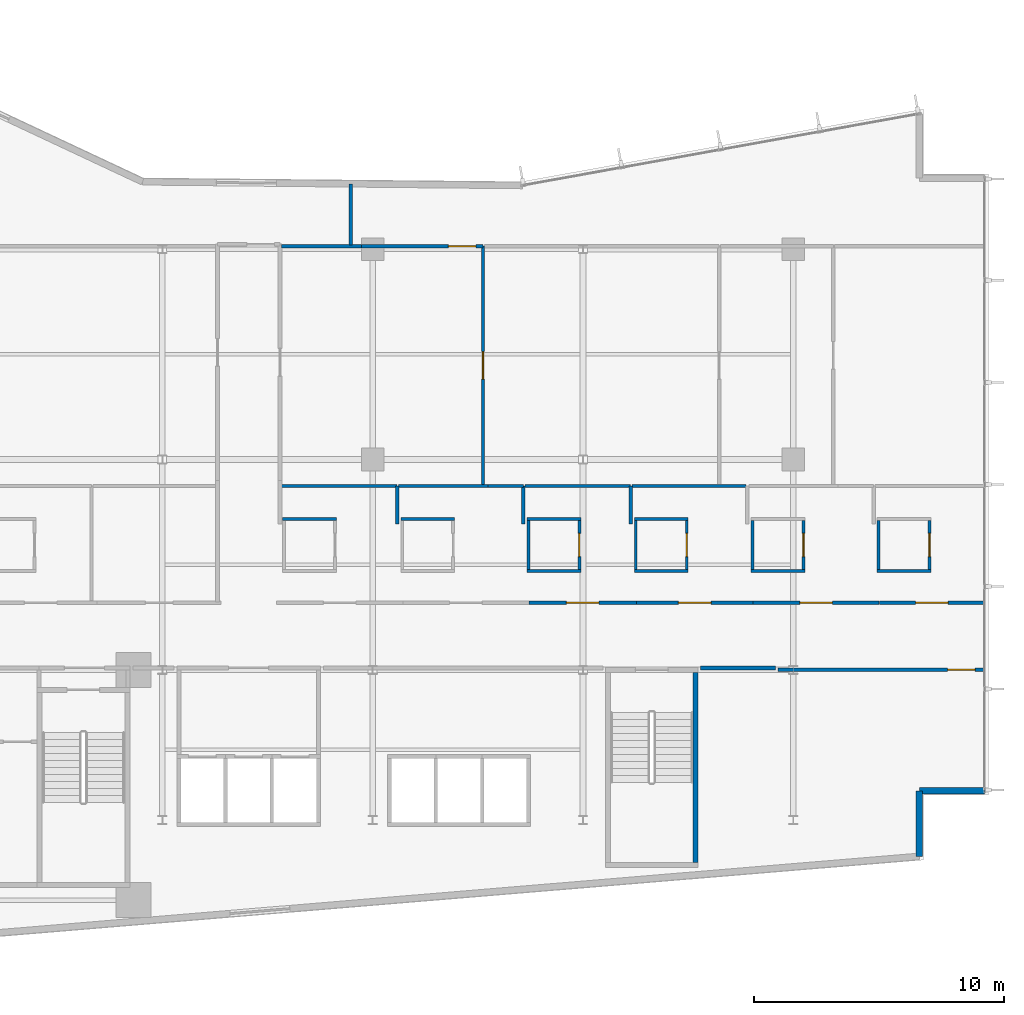
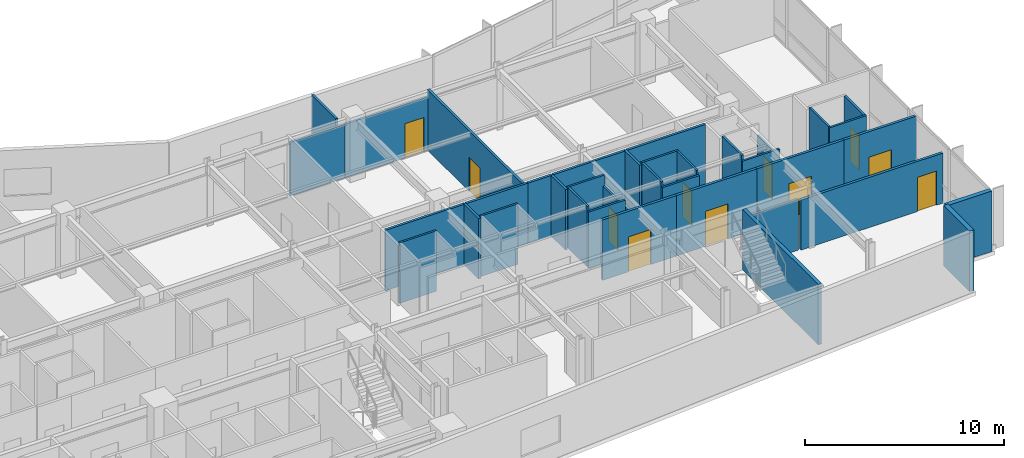
# One storey, part 15 of 20: 37 walls, 11 doors, 11 openings.
"""IFC4 building model written with IfcOpenShell, lengths in metres."""

import ifcopenshell
import ifcopenshell.guid

model = None  # the IFC model being written
_history = None  # IfcOwnerHistory: only IFC2X3 demands one
_inside = {}  # id of a spatial element -> (the spatial element, [elements in it])
_under = {}  # id of a project, library or spatial element -> (it, [spatial elements below it])
_declared = {}  # id of a project -> (the project, [libraries it declares])
_typed = {}  # id of a type object -> (the type object, [elements of that type])
_made_of = {}  # id of a material, layer set ... -> (it, [elements and type objects made of it])


def new_model(schema):
    """Start an empty IFC model of exactly this schema.

    Asked for "IFC4X3", IfcOpenShell would pick the latest addendum, in which some entities
    have other attributes; the version numbers below select the first issue.
    IFC2X3 requires an IfcOwnerHistory on every rooted entity: one is made here for all.
    """
    global model, _history
    if schema == "IFC4X3":
        model = ifcopenshell.file(schema_version=(4, 3, 0, 0))
    else:
        model = ifcopenshell.file(schema=schema)
    _inside.clear()
    _under.clear()
    _declared.clear()
    _typed.clear()
    _made_of.clear()
    _history = None
    if model.schema == "IFC2X3":
        org = make("IfcOrganization", Name="unknown")
        user = make(
            "IfcPersonAndOrganization",
            ThePerson=make("IfcPerson", FamilyName="unknown"),
            TheOrganization=org,
        )
        app = make(
            "IfcApplication",
            ApplicationDeveloper=org,
            Version="unknown",
            ApplicationFullName="unknown",
            ApplicationIdentifier="unknown",
        )
        _history = make(
            "IfcOwnerHistory",
            OwningUser=user,
            OwningApplication=app,
            ChangeAction="ADDED",
            CreationDate=0,
        )
    return model


def make(cls, **values):
    """One entity of the class cls with the attributes given. An attribute that is None is left unset."""
    return model.create_entity(
        cls, **{name: value for name, value in values.items() if value is not None}
    )


def rooted(cls, **values):
    """An entity with a GlobalId (a new one), such as an element, a storey or a relation."""
    return make(cls, GlobalId=ifcopenshell.guid.new(), OwnerHistory=_history, **values)


def si_unit(unit_type, name, prefix=None):
    """IfcSIUnit, for example si_unit("LENGTHUNIT", "METRE", prefix="MILLI")."""
    return make("IfcSIUnit", UnitType=unit_type, Prefix=prefix, Name=name)


def assignment(units):
    """IfcUnitAssignment: the units of a project."""
    return None if units is None else make("IfcUnitAssignment", Units=units)


def point(xyz):
    """IfcCartesianPoint."""
    return None if xyz is None else make("IfcCartesianPoint", Coordinates=xyz)


def direction(xyz):
    """IfcDirection."""
    return None if xyz is None else make("IfcDirection", DirectionRatios=xyz)


def frame(location, z_axis=None, x_axis=None):
    """IfcAxis2Placement3D, a coordinate frame: its origin and axes. An axis left out is left unset."""
    return make(
        "IfcAxis2Placement3D",
        Location=point(location),
        Axis=direction(z_axis),
        RefDirection=direction(x_axis),
    )


def frame_2d(location, x_axis=None):
    """IfcAxis2Placement2D, a coordinate frame in the plane: its origin and x axis."""
    return make(
        "IfcAxis2Placement2D", Location=point(location), RefDirection=direction(x_axis)
    )


def origin():
    """The frame at (0, 0, 0) with its axes left unset."""
    return frame((0.0, 0.0, 0.0))


def place(relative_to, where):
    """IfcLocalPlacement: puts the frame where relative to a parent placement (None: the world)."""
    return make(
        "IfcLocalPlacement", PlacementRelTo=relative_to, RelativePlacement=where
    )


def context(
    kind, dimensions, precision=None, world=None, true_north=None, identifier=None
):
    """IfcGeometricRepresentationContext, for example the 3D "Model" context."""
    return make(
        "IfcGeometricRepresentationContext",
        ContextIdentifier=identifier,
        ContextType=kind,
        CoordinateSpaceDimension=dimensions,
        Precision=precision,
        WorldCoordinateSystem=world,
        TrueNorth=true_north,
    )


def subcontext(parent, identifier, kind, view, scale=None):
    """IfcGeometricRepresentationSubContext, for example "Body" below "Model"."""
    return make(
        "IfcGeometricRepresentationSubContext",
        ContextIdentifier=identifier,
        ContextType=kind,
        ParentContext=parent,
        TargetScale=scale,
        TargetView=view,
    )


def project(units=None, contexts=None):
    """IfcProject with its units and contexts."""
    return rooted(
        "IfcProject",
        Name="project",
        RepresentationContexts=contexts,
        UnitsInContext=assignment(units),
    )


def spatial(cls, under=None, at=None, **own):
    """A site, building, storey or space (cls), placed at a placement, below another one or the project."""
    s = rooted(cls, ObjectPlacement=at, **own)
    if under is not None:
        _under.setdefault(under.id(), (under, []))[1].append(s)
    return s


def profile(cls, at=None, kind="AREA", **sizes):
    """A parametric profile (cls). Its sizes go by their IFC names, for example OverallWidth=200.0."""
    return make(cls, ProfileType=kind, Position=at, **sizes)


def rectangle(**sizes):
    """IfcRectangleProfileDef."""
    return profile("IfcRectangleProfileDef", **sizes)


def extrude(swept, where, along, depth):
    """IfcExtrudedAreaSolid: the profile swept, set in the frame where, extruded along a direction by depth."""
    return make(
        "IfcExtrudedAreaSolid",
        SweptArea=swept,
        Position=where,
        ExtrudedDirection=direction(along),
        Depth=depth,
    )


def shape(context_of_items, identifier, shape_type, items):
    """IfcShapeRepresentation: the items that make up one representation, for example the "Body"."""
    return make(
        "IfcShapeRepresentation",
        ContextOfItems=context_of_items,
        RepresentationIdentifier=identifier,
        RepresentationType=shape_type,
        Items=items,
    )


def material(Name=None, Category=None):
    """IfcMaterial."""
    return make("IfcMaterial", Name=Name, Category=Category)


def layer(
    of_material, thickness, ventilated=None, Name=None, Category=None, Priority=None
):
    """IfcMaterialLayer: one layer of a wall or slab, of a material (None: an air gap)."""
    return make(
        "IfcMaterialLayer",
        Material=of_material,
        LayerThickness=thickness,
        IsVentilated=ventilated,
        Name=Name,
        Category=Category,
        Priority=Priority,
    )


def layer_set(layers, Name=None):
    """IfcMaterialLayerSet."""
    return make("IfcMaterialLayerSet", MaterialLayers=layers, LayerSetName=Name)


def made_of(thing, what):
    """Note that an element or type object is made of a material, layer set ...; save() writes the relation."""
    if what is not None:
        _made_of.setdefault(what.id(), (what, []))[1].append(thing)
    return thing


def type_object(cls, material=None, **own):
    """A type object (cls), such as IfcWallType, which elements share."""
    return made_of(rooted(cls, **own), material)


def element(
    cls,
    number,
    at=None,
    inside=None,
    cuts=None,
    type_object=None,
    material=None,
    context=None,
    identifier="Body",
    shape_type=None,
    held_by="IfcProductDefinitionShape",
    body=None,
    shapes=None,
    **own,
):
    """One element of the class cls, such as IfcWall. Its Tag is "e" and its number.

    at: its placement. inside: the storey or other place that contains it. cuts: it is an
    opening in that element (IfcRelVoidsElement). A single representation is given by context,
    identifier, shape_type and body (its items); several are given by shapes. held_by: the class
    of the entity that holds the representations. save() writes the other relations.
    """
    e = rooted(cls, Tag="e%d" % number, ObjectPlacement=at, **own)
    if body is not None:
        shapes = [shape(context, identifier, shape_type, body)]
    if shapes is not None:
        e.Representation = make(held_by, Representations=shapes)
    if inside is not None:
        _inside.setdefault(inside.id(), (inside, []))[1].append(e)
    if cuts is not None:
        rooted(
            "IfcRelVoidsElement", RelatingBuildingElement=cuts, RelatedOpeningElement=e
        )
    if type_object is not None:
        _typed.setdefault(type_object.id(), (type_object, []))[1].append(e)
    return made_of(e, material)


def fill(opening, filler):
    """IfcRelFillsElement: the door or window that sits in an opening."""
    return rooted(
        "IfcRelFillsElement",
        RelatingOpeningElement=opening,
        RelatedBuildingElement=filler,
    )


def aggregate(whole, parts):
    """IfcRelAggregates: a whole, such as a stair, and the parts it consists of."""
    return rooted("IfcRelAggregates", RelatingObject=whole, RelatedObjects=parts)


def save(model, path):
    """Write the relations noted so far, then the file.

    IfcRelAggregates (storeys below a building ...), IfcRelContainedInSpatialStructure (elements
    in a storey), IfcRelDefinesByType, IfcRelAssociatesMaterial and IfcRelDeclares: one each for
    every whole, place, type object, material and project.
    """
    for whole, parts in _under.values():
        aggregate(whole, parts)
    for where, things in _inside.values():
        rooted(
            "IfcRelContainedInSpatialStructure",
            RelatedElements=things,
            RelatingStructure=where,
        )
    for kind, things in _typed.values():
        rooted("IfcRelDefinesByType", RelatedObjects=things, RelatingType=kind)
    for what, things in _made_of.values():
        rooted("IfcRelAssociatesMaterial", RelatedObjects=things, RelatingMaterial=what)
    for by, libraries in _declared.values():
        rooted("IfcRelDeclares", RelatingContext=by, RelatedDefinitions=libraries)
    model.write(path)


model = new_model("IFC4")

# Units and contexts
model_context = context("Model", 3, precision=1e-05, world=origin(), true_north=direction((0.0, 1.0)))
body_context = subcontext(model_context, "Body", "Model", "MODEL_VIEW")
ifc_project = project(units=[si_unit("LENGTHUNIT", "METRE"), si_unit("AREAUNIT", "SQUARE_METRE"), si_unit("VOLUMEUNIT", "CUBIC_METRE"), si_unit("PLANEANGLEUNIT", "RADIAN"), si_unit("MASSUNIT", "GRAM", prefix="KILO")], contexts=[model_context])

# Site, building, storey
site_placement = place(None, origin())
site = spatial("IfcSite", under=ifc_project, at=site_placement, CompositionType="ELEMENT")
building_placement = place(site_placement, origin())
building = spatial("IfcBuilding", under=site, at=building_placement, Name="Varnakote Quay Hospital", CompositionType="ELEMENT")
storey_placement = place(building_placement, frame((0.0, 0.0, 58.050048828125)))
storey = spatial("IfcBuildingStorey", under=building, at=storey_placement, Name="L14", CompositionType="ELEMENT", Elevation=58.050048828125)

# Walls
ifc_material_1 = material(Name="Fire-rated acoustic gypsum stud wall", Category="gypsum")
ifc_layer_1 = layer(ifc_material_1, 0.159912109375)
ifc_layer_set_1 = layer_set([ifc_layer_1], Name="Fire-rated acoustic gypsum stud wall")
wall_type_1 = type_object("IfcWallType", Name="WL-COMP-160", PredefinedType="PARTITIONING", material=ifc_layer_set_1)
wall_1_placement = place(storey_placement, frame((46.689208984375, 12.080078125, 0.0), z_axis=(0.0, 0.0, 1.0), x_axis=(1.0, 0.0, 0.0)))
element("IfcWall", 1, at=wall_1_placement, inside=storey, type_object=wall_type_1, Name="L14 Corridor South Gap Wall", PredefinedType="PARTITIONING", context=body_context, shape_type="SweptSolid", body=[
    extrude(rectangle(XDim=3.0107421875, YDim=0.159912109375, at=frame_2d((1.50537109375, 0.0))), origin(), (0.0, 0.0, 1.0), 3.072998046875),
])
ifc_material_2 = material(Name="Moisture-resistant bathroom partition", Category="gypsum")
ifc_layer_2 = layer(ifc_material_2, 0.114990234375)
ifc_layer_set_2 = layer_set([ifc_layer_2], Name="Moisture-resistant bathroom partition")
wall_type_2 = type_object("IfcWallType", Name="WL-ENS-115", PredefinedType="PARTITIONING", material=ifc_layer_set_2)
wall_2_placement = place(storey_placement, frame((30.0048828125, 18.017578125, 0.0), z_axis=(0.0, 0.0, 1.0), x_axis=(1.0, 0.0, 0.0)))
element("IfcWall", 2, at=wall_2_placement, inside=storey, type_object=wall_type_2, Name="L14 Inpatient En-Suite Bathroom 04 N Wall", PredefinedType="PARTITIONING", context=body_context, shape_type="SweptSolid", body=[
    extrude(rectangle(XDim=2.150146484375, YDim=0.114990234375, at=frame_2d((1.0751953125, 0.0))), origin(), (0.0, 0.0, 1.0), 3.7099609375),
])
wall_3_placement = place(storey_placement, frame((34.72509765625, 18.017578125, 0.0), z_axis=(0.0, 0.0, 1.0), x_axis=(1.0, 0.0, 0.0)))
element("IfcWall", 3, at=wall_3_placement, inside=storey, type_object=wall_type_2, Name="L14 Inpatient En-Suite Bathroom 05 N Wall", PredefinedType="PARTITIONING", context=body_context, shape_type="SweptSolid", body=[
    extrude(rectangle(XDim=2.14990234375, YDim=0.114990234375, at=frame_2d((1.074951171875, 0.0))), origin(), (0.0, 0.0, 1.0), 3.7099609375),
])
wall_4_placement = place(storey_placement, frame((39.764892578125, 15.952392578125, 0.0), z_axis=(0.0, 0.0, 1.0), x_axis=(1.0, 0.0, 0.0)))
element("IfcWall", 4, at=wall_4_placement, inside=storey, type_object=wall_type_2, Name="L14 Inpatient En-Suite Bathroom 06 S Wall", PredefinedType="PARTITIONING", context=body_context, shape_type="SweptSolid", body=[
    extrude(rectangle(XDim=2.150146484375, YDim=0.114990234375, at=frame_2d((1.0751953125, 0.0))), origin(), (0.0, 0.0, 1.0), 3.428955078125),
])
wall_5_placement = place(storey_placement, frame((39.764892578125, 18.017578125, 0.0), z_axis=(0.0, 0.0, 1.0), x_axis=(1.0, 0.0, 0.0)))
element("IfcWall", 5, at=wall_5_placement, inside=storey, type_object=wall_type_2, Name="L14 Inpatient En-Suite Bathroom 06 N Wall", PredefinedType="PARTITIONING", context=body_context, shape_type="SweptSolid", body=[
    extrude(rectangle(XDim=2.150146484375, YDim=0.114990234375, at=frame_2d((1.0751953125, 0.0))), origin(), (0.0, 0.0, 1.0), 3.7099609375),
])
wall_6_placement = place(storey_placement, frame((39.822509765625, 16.010009765625, 0.0), z_axis=(0.0, 0.0, 1.0), x_axis=(0.0, 1.0, 0.0)))
element("IfcWall", 6, at=wall_6_placement, inside=storey, type_object=wall_type_2, Name="L14 Inpatient En-Suite Bathroom 06 W Wall", PredefinedType="PARTITIONING", context=body_context, shape_type="SweptSolid", body=[
    extrude(rectangle(XDim=1.949951171875, YDim=0.114990234375, at=frame_2d((0.97509765625, 0.0))), origin(), (0.0, 0.0, 1.0), 3.7099609375),
])

# Wall, opening, door
wall_7_placement = place(storey_placement, frame((41.857421875, 16.010009765625, 0.0), z_axis=(0.0, 0.0, 1.0), x_axis=(0.0, 1.0, 0.0)))
wall_7 = element("IfcWall", 7, at=wall_7_placement, inside=storey, type_object=wall_type_2, Name="L14 Inpatient En-Suite Bathroom 06 E Wall", PredefinedType="PARTITIONING", context=body_context, shape_type="SweptSolid", body=[
    extrude(rectangle(XDim=1.949951171875, YDim=0.114990234375, at=frame_2d((0.97509765625, 0.0))), origin(), (0.0, 0.0, 1.0), 3.072998046875),
])
opening_1_placement = place(wall_7_placement, frame((0.514892578125, 0.0, 0.0)))
opening_1 = element("IfcOpeningElement", 8, at=opening_1_placement, cuts=wall_7, Name="Opening D-L14-ENS06", PredefinedType="OPENING", context=body_context, shape_type="SweptSolid", body=[
    extrude(rectangle(XDim=0.919921875, YDim=2.10009765625, at=frame_2d((0.4599609375, 1.050048828125))), frame((0.0, 0.0673828125, 0.0), z_axis=(0.0, -1.0, 0.0), x_axis=(1.0, 0.0, 0.0)), (0.0, 0.0, 1.0), 0.135009765625),
])
ifc_material_3 = material(Name="Moisture-sealed en-suite bathroom door")
door_type_1 = type_object("IfcDoorType", Name="DR-ENS-920x2100", OperationType="NOTDEFINED", PredefinedType="DOOR", material=ifc_material_3)
door_1_placement = place(opening_1_placement, origin())
door_1 = element("IfcDoor", 9, at=door_1_placement, inside=storey, type_object=door_type_1, Name="L14 Inpatient En-Suite Bathroom 06 Door", OperationType="SINGLE_SWING_RIGHT", OverallHeight=2.10009765625, OverallWidth=0.919921875, PredefinedType="DOOR", context=body_context, shape_type="SweptSolid", body=[
    extrude(rectangle(XDim=0.919921875, YDim=2.10009765625, at=frame_2d((0.4599609375, 1.050048828125))), frame((0.0, 0.02490234375, 0.0), z_axis=(0.0, -1.0, 0.0), x_axis=(1.0, 0.0, 0.0)), (0.0, 0.0, 1.0), 0.050048828125),
])
fill(opening_1, door_1)

# Walls
wall_8_placement = place(storey_placement, frame((44.054931640625, 15.952392578125, 0.0), z_axis=(0.0, 0.0, 1.0), x_axis=(1.0, 0.0, 0.0)))
element("IfcWall", 10, at=wall_8_placement, inside=storey, type_object=wall_type_2, Name="L14 Inpatient En-Suite Bathroom 07 S Wall", PredefinedType="PARTITIONING", context=body_context, shape_type="SweptSolid", body=[
    extrude(rectangle(XDim=2.150146484375, YDim=0.114990234375, at=frame_2d((1.0751953125, 0.0))), origin(), (0.0, 0.0, 1.0), 3.428955078125),
])
wall_9_placement = place(storey_placement, frame((44.054931640625, 18.017578125, 0.0), z_axis=(0.0, 0.0, 1.0), x_axis=(1.0, 0.0, 0.0)))
element("IfcWall", 11, at=wall_9_placement, inside=storey, type_object=wall_type_2, Name="L14 Inpatient En-Suite Bathroom 07 N Wall", PredefinedType="PARTITIONING", context=body_context, shape_type="SweptSolid", body=[
    extrude(rectangle(XDim=2.150146484375, YDim=0.114990234375, at=frame_2d((1.0751953125, 0.0))), origin(), (0.0, 0.0, 1.0), 3.7099609375),
])
wall_10_placement = place(storey_placement, frame((44.112548828125, 16.010009765625, 0.0), z_axis=(0.0, 0.0, 1.0), x_axis=(0.0, 1.0, 0.0)))
element("IfcWall", 12, at=wall_10_placement, inside=storey, type_object=wall_type_2, Name="L14 Inpatient En-Suite Bathroom 07 W Wall", PredefinedType="PARTITIONING", context=body_context, shape_type="SweptSolid", body=[
    extrude(rectangle(XDim=1.949951171875, YDim=0.114990234375, at=frame_2d((0.97509765625, 0.0))), origin(), (0.0, 0.0, 1.0), 3.7099609375),
])

# Wall, opening, door
wall_11_placement = place(storey_placement, frame((46.1474609375, 16.010009765625, 0.0), z_axis=(0.0, 0.0, 1.0), x_axis=(0.0, 1.0, 0.0)))
wall_11 = element("IfcWall", 13, at=wall_11_placement, inside=storey, type_object=wall_type_2, Name="L14 Inpatient En-Suite Bathroom 07 E Wall", PredefinedType="PARTITIONING", context=body_context, shape_type="SweptSolid", body=[
    extrude(rectangle(XDim=1.949951171875, YDim=0.114990234375, at=frame_2d((0.97509765625, 0.0))), origin(), (0.0, 0.0, 1.0), 3.7099609375),
])
opening_2_placement = place(wall_11_placement, frame((0.514892578125, 0.0, 0.0)))
opening_2 = element("IfcOpeningElement", 14, at=opening_2_placement, cuts=wall_11, Name="Opening D-L14-ENS07", PredefinedType="OPENING", context=body_context, shape_type="SweptSolid", body=[
    extrude(rectangle(XDim=0.919921875, YDim=2.10009765625, at=frame_2d((0.4599609375, 1.050048828125))), frame((0.0, 0.0673828125, 0.0), z_axis=(0.0, -1.0, 0.0), x_axis=(1.0, 0.0, 0.0)), (0.0, 0.0, 1.0), 0.135009765625),
])
door_2_placement = place(opening_2_placement, origin())
door_2 = element("IfcDoor", 15, at=door_2_placement, inside=storey, type_object=door_type_1, Name="L14 Inpatient En-Suite Bathroom 07 Door", OperationType="SINGLE_SWING_LEFT", OverallHeight=2.10009765625, OverallWidth=0.919921875, PredefinedType="DOOR", context=body_context, shape_type="SweptSolid", body=[
    extrude(rectangle(XDim=0.919921875, YDim=2.10009765625, at=frame_2d((0.4599609375, 1.050048828125))), frame((0.0, 0.02490234375, 0.0), z_axis=(0.0, -1.0, 0.0), x_axis=(1.0, 0.0, 0.0)), (0.0, 0.0, 1.0), 0.050048828125),
])
fill(opening_2, door_2)

# Walls
wall_12_placement = place(storey_placement, frame((48.715087890625, 15.952392578125, 0.0), z_axis=(0.0, 0.0, 1.0), x_axis=(1.0, 0.0, 0.0)))
element("IfcWall", 16, at=wall_12_placement, inside=storey, type_object=wall_type_2, Name="L14 Inpatient En-Suite Bathroom 08 S Wall", PredefinedType="PARTITIONING", context=body_context, shape_type="SweptSolid", body=[
    extrude(rectangle(XDim=2.14990234375, YDim=0.114990234375, at=frame_2d((1.074951171875, 0.0))), origin(), (0.0, 0.0, 1.0), 3.428955078125),
])
wall_13_placement = place(storey_placement, frame((48.7724609375, 16.010009765625, 0.0), z_axis=(0.0, 0.0, 1.0), x_axis=(0.0, 1.0, 0.0)))
element("IfcWall", 17, at=wall_13_placement, inside=storey, type_object=wall_type_2, Name="L14 Inpatient En-Suite Bathroom 08 W Wall", PredefinedType="PARTITIONING", context=body_context, shape_type="SweptSolid", body=[
    extrude(rectangle(XDim=1.949951171875, YDim=0.114990234375, at=frame_2d((0.97509765625, 0.0))), origin(), (0.0, 0.0, 1.0), 3.7099609375),
])

# Wall, opening, door
wall_14_placement = place(storey_placement, frame((50.8076171875, 16.010009765625, 0.0), z_axis=(0.0, 0.0, 1.0), x_axis=(0.0, 1.0, 0.0)))
wall_14 = element("IfcWall", 18, at=wall_14_placement, inside=storey, type_object=wall_type_2, Name="L14 Inpatient En-Suite Bathroom 08 E Wall", PredefinedType="PARTITIONING", context=body_context, shape_type="SweptSolid", body=[
    extrude(rectangle(XDim=1.949951171875, YDim=0.114990234375, at=frame_2d((0.97509765625, 0.0))), origin(), (0.0, 0.0, 1.0), 3.072998046875),
])
opening_3_placement = place(wall_14_placement, frame((0.514892578125, 0.0, 0.0)))
opening_3 = element("IfcOpeningElement", 19, at=opening_3_placement, cuts=wall_14, Name="Opening D-L14-ENS08", PredefinedType="OPENING", context=body_context, shape_type="SweptSolid", body=[
    extrude(rectangle(XDim=0.919921875, YDim=2.10009765625, at=frame_2d((0.4599609375, 1.050048828125))), frame((0.0, 0.0673828125, 0.0), z_axis=(0.0, -1.0, 0.0), x_axis=(1.0, 0.0, 0.0)), (0.0, 0.0, 1.0), 0.135009765625),
])
door_3_placement = place(opening_3_placement, origin())
door_3 = element("IfcDoor", 20, at=door_3_placement, inside=storey, type_object=door_type_1, Name="L14 Inpatient En-Suite Bathroom 08 Door", OperationType="SINGLE_SWING_RIGHT", OverallHeight=2.10009765625, OverallWidth=0.919921875, PredefinedType="DOOR", context=body_context, shape_type="SweptSolid", body=[
    extrude(rectangle(XDim=0.919921875, YDim=2.10009765625, at=frame_2d((0.4599609375, 1.050048828125))), frame((0.0, 0.02490234375, 0.0), z_axis=(0.0, -1.0, 0.0), x_axis=(1.0, 0.0, 0.0)), (0.0, 0.0, 1.0), 0.050048828125),
])
fill(opening_3, door_3)

# Walls
wall_15_placement = place(storey_placement, frame((53.7548828125, 15.952392578125, 0.0), z_axis=(0.0, 0.0, 1.0), x_axis=(1.0, 0.0, 0.0)))
element("IfcWall", 21, at=wall_15_placement, inside=storey, type_object=wall_type_2, Name="L14 Inpatient En-Suite Bathroom 09 S Wall", PredefinedType="PARTITIONING", context=body_context, shape_type="SweptSolid", body=[
    extrude(rectangle(XDim=2.150146484375, YDim=0.114990234375, at=frame_2d((1.0751953125, 0.0))), origin(), (0.0, 0.0, 1.0), 3.7099609375),
])
wall_16_placement = place(storey_placement, frame((53.8125, 16.010009765625, 0.0), z_axis=(0.0, 0.0, 1.0), x_axis=(0.0, 1.0, 0.0)))
element("IfcWall", 22, at=wall_16_placement, inside=storey, type_object=wall_type_2, Name="L14 Inpatient En-Suite Bathroom 09 W Wall", PredefinedType="PARTITIONING", context=body_context, shape_type="SweptSolid", body=[
    extrude(rectangle(XDim=1.949951171875, YDim=0.114990234375, at=frame_2d((0.97509765625, 0.0))), origin(), (0.0, 0.0, 1.0), 3.7099609375),
])

# Wall, opening, door
wall_17_placement = place(storey_placement, frame((55.847412109375, 16.010009765625, 0.0), z_axis=(0.0, 0.0, 1.0), x_axis=(0.0, 1.0, 0.0)))
wall_17 = element("IfcWall", 23, at=wall_17_placement, inside=storey, type_object=wall_type_2, Name="L14 Inpatient En-Suite Bathroom 09 E Wall", PredefinedType="PARTITIONING", context=body_context, shape_type="SweptSolid", body=[
    extrude(rectangle(XDim=1.949951171875, YDim=0.114990234375, at=frame_2d((0.97509765625, 0.0))), origin(), (0.0, 0.0, 1.0), 3.7099609375),
])
opening_4_placement = place(wall_17_placement, frame((0.514892578125, 0.0, 0.0)))
opening_4 = element("IfcOpeningElement", 24, at=opening_4_placement, cuts=wall_17, Name="Opening D-L14-ENS09", PredefinedType="OPENING", context=body_context, shape_type="SweptSolid", body=[
    extrude(rectangle(XDim=0.919921875, YDim=2.10009765625, at=frame_2d((0.4599609375, 1.050048828125))), frame((0.0, 0.0673828125, 0.0), z_axis=(0.0, -1.0, 0.0), x_axis=(1.0, 0.0, 0.0)), (0.0, 0.0, 1.0), 0.135009765625),
])
door_4_placement = place(opening_4_placement, origin())
door_4 = element("IfcDoor", 25, at=door_4_placement, inside=storey, type_object=door_type_1, Name="L14 Inpatient En-Suite Bathroom 09 Door", OperationType="SINGLE_SWING_LEFT", OverallHeight=2.10009765625, OverallWidth=0.919921875, PredefinedType="DOOR", context=body_context, shape_type="SweptSolid", body=[
    extrude(rectangle(XDim=0.919921875, YDim=2.10009765625, at=frame_2d((0.4599609375, 1.050048828125))), frame((0.0, 0.02490234375, 0.0), z_axis=(0.0, -1.0, 0.0), x_axis=(1.0, 0.0, 0.0)), (0.0, 0.0, 1.0), 0.050048828125),
])
fill(opening_4, door_4)

# Walls
ifc_material_4 = material(Name="Precast concrete N50 (f'c 50 MPa)", Category="concrete")
ifc_layer_3 = layer(ifc_material_4, 0.260009765625)
ifc_layer_set_3 = layer_set([ifc_layer_3], Name="Precast concrete N50 (f'c 50 MPa)")
wall_type_3 = type_object("IfcWallType", Name="WL-EXT-BRICK-260", PredefinedType="STANDARD", material=ifc_layer_set_3)
wall_18_placement = place(storey_placement, frame((55.43994140625, 4.54736328125, 0.0), z_axis=(0.0, 0.0, 1.0), x_axis=(0.0, 1.0, 0.0)))
element("IfcWall", 26, at=wall_18_placement, inside=storey, type_object=wall_type_3, Name="L14 Brick-Faced Precast Exterior Wall", PredefinedType="STANDARD", context=body_context, shape_type="SweptSolid", body=[
    extrude(rectangle(XDim=2.612548828125, YDim=0.260009765625, at=frame_2d((1.30615234375, 0.0))), origin(), (0.0, 0.0, 1.0), 3.7099609375),
])
wall_19_placement = place(storey_placement, frame((55.43994140625, 7.159912109375, 0.0), z_axis=(0.0, 0.0, 1.0), x_axis=(1.0, 0.0, 0.0)))
element("IfcWall", 27, at=wall_19_placement, inside=storey, type_object=wall_type_3, Name="L14 Brick-Faced Precast Exterior Wall", PredefinedType="STANDARD", context=body_context, shape_type="SweptSolid", body=[
    extrude(rectangle(XDim=2.60009765625, YDim=0.260009765625, at=frame_2d((1.300048828125, 0.0))), origin(), (0.0, 0.0, 1.0), 3.7099609375),
])
ifc_material_5 = material(Name="Concrete N50 (f'c 50 MPa)", Category="concrete")
ifc_layer_4 = layer(ifc_material_5, 0.199951171875)
ifc_layer_set_4 = layer_set([ifc_layer_4], Name="Concrete N50 (f'c 50 MPa)")
wall_type_4 = type_object("IfcWallType", Name="WL-SHAFT-N50-200", PredefinedType="SHEAR", material=ifc_layer_set_4)
wall_20_placement = place(storey_placement, frame((46.5, 4.300048828125, 0.0), z_axis=(0.0, 0.0, 1.0), x_axis=(0.0, 1.0, 0.0)))
element("IfcWall", 28, at=wall_20_placement, inside=storey, type_object=wall_type_4, Name="L14 Stair ST3 East Shaft Wall", PredefinedType="SHEAR", context=body_context, shape_type="SweptSolid", body=[
    extrude(rectangle(XDim=7.599853515625, YDim=0.199951171875, at=frame_2d((3.7998046875, 0.0))), origin(), (0.0, 0.0, 1.0), 3.7099609375),
])
ifc_material_6 = material(Name="Smoke-proof clinical partition", Category="gypsum")
ifc_layer_5 = layer(ifc_material_6, 0.135009765625)
ifc_layer_set_5 = layer_set([ifc_layer_5], Name="Smoke-proof clinical partition")
wall_type_5 = type_object("IfcWallType", Name="WL-SMOKE-135", PredefinedType="PARTITIONING", material=ifc_layer_set_5)
wall_21_placement = place(storey_placement, frame((34.580078125, 17.83251953125, 0.0), z_axis=(0.0, 0.0, 1.0), x_axis=(0.0, 1.0, 0.0)))
element("IfcWall", 29, at=wall_21_placement, inside=storey, type_object=wall_type_5, Name="L14 Clinical Interior Partition", PredefinedType="PARTITIONING", context=body_context, shape_type="SweptSolid", body=[
    extrude(rectangle(XDim=1.507568359375, YDim=0.135009765625, at=frame_2d((0.75390625, 0.0))), origin(), (0.0, 0.0, 1.0), 3.7099609375),
])
wall_22_placement = place(storey_placement, frame((34.580078125, 19.340087890625, 0.0), z_axis=(0.0, 0.0, 1.0), x_axis=(-1.0, 0.0, 0.0)))
element("IfcWall", 30, at=wall_22_placement, inside=storey, type_object=wall_type_5, Name="L14 Clinical Interior Partition", PredefinedType="PARTITIONING", context=body_context, shape_type="SweptSolid", body=[
    extrude(rectangle(XDim=4.614990234375, YDim=0.135009765625, at=frame_2d((2.3076171875, 0.0))), origin(), (0.0, 0.0, 1.0), 3.7099609375),
])
wall_23_placement = place(storey_placement, frame((39.6201171875, 17.83251953125, 0.0), z_axis=(0.0, 0.0, 1.0), x_axis=(0.0, 1.0, 0.0)))
element("IfcWall", 31, at=wall_23_placement, inside=storey, type_object=wall_type_5, Name="L14 Clinical Interior Partition", PredefinedType="PARTITIONING", context=body_context, shape_type="SweptSolid", body=[
    extrude(rectangle(XDim=1.507568359375, YDim=0.135009765625, at=frame_2d((0.75390625, 0.0))), origin(), (0.0, 0.0, 1.0), 3.7099609375),
])
wall_24_placement = place(storey_placement, frame((38.20458984375, 19.340087890625, 0.0), z_axis=(0.0, 0.0, 1.0), x_axis=(-1.0, 0.0, 0.0)))
element("IfcWall", 32, at=wall_24_placement, inside=storey, type_object=wall_type_5, Name="L14 Clinical Interior Partition", PredefinedType="PARTITIONING", context=body_context, shape_type="SweptSolid", body=[
    extrude(rectangle(XDim=3.567138671875, YDim=0.135009765625, at=frame_2d((1.78369140625, 0.0))), origin(), (0.0, 0.0, 1.0), 3.7099609375),
])
wall_25_placement = place(storey_placement, frame((39.6201171875, 19.340087890625, 0.0), z_axis=(0.0, 0.0, 1.0), x_axis=(-1.0, 0.0, 0.0)))
element("IfcWall", 33, at=wall_25_placement, inside=storey, type_object=wall_type_5, Name="L14 Clinical Interior Partition", PredefinedType="PARTITIONING", context=body_context, shape_type="SweptSolid", body=[
    extrude(rectangle(XDim=1.41357421875, YDim=0.135009765625, at=frame_2d((0.706787109375, 0.0))), origin(), (0.0, 0.0, 1.0), 3.7099609375),
])
wall_26_placement = place(storey_placement, frame((43.909912109375, 17.83251953125, 0.0), z_axis=(0.0, 0.0, 1.0), x_axis=(0.0, 1.0, 0.0)))
element("IfcWall", 34, at=wall_26_placement, inside=storey, type_object=wall_type_5, Name="L14 Clinical Interior Partition", PredefinedType="PARTITIONING", context=body_context, shape_type="SweptSolid", body=[
    extrude(rectangle(XDim=1.507568359375, YDim=0.135009765625, at=frame_2d((0.75390625, 0.0))), origin(), (0.0, 0.0, 1.0), 3.7099609375),
])
wall_27_placement = place(storey_placement, frame((43.909912109375, 19.340087890625, 0.0), z_axis=(0.0, 0.0, 1.0), x_axis=(-1.0, 0.0, 0.0)))
element("IfcWall", 35, at=wall_27_placement, inside=storey, type_object=wall_type_5, Name="L14 Clinical Interior Partition", PredefinedType="PARTITIONING", context=body_context, shape_type="SweptSolid", body=[
    extrude(rectangle(XDim=4.232421875, YDim=0.135009765625, at=frame_2d((2.1162109375, 0.0))), origin(), (0.0, 0.0, 1.0), 3.7099609375),
])
wall_28_placement = place(storey_placement, frame((48.512451171875, 19.340087890625, 0.0), z_axis=(0.0, 0.0, 1.0), x_axis=(-1.0, 0.0, 0.0)))
element("IfcWall", 36, at=wall_28_placement, inside=storey, type_object=wall_type_5, Name="L14 Clinical Interior Partition", PredefinedType="PARTITIONING", context=body_context, shape_type="SweptSolid", body=[
    extrude(rectangle(XDim=4.544921875, YDim=0.135009765625, at=frame_2d((2.2724609375, 0.0))), origin(), (0.0, 0.0, 1.0), 3.7099609375),
])

# Wall, opening, door
wall_29_placement = place(storey_placement, frame((38.010009765625, 19.3974609375, 0.0), z_axis=(0.0, 0.0, 1.0), x_axis=(0.0, 1.0, 0.0)))
wall_29 = element("IfcWall", 37, at=wall_29_placement, inside=storey, type_object=wall_type_5, Name="L14 Clinical Interior Partition", PredefinedType="PARTITIONING", context=body_context, shape_type="SweptSolid", body=[
    extrude(rectangle(XDim=9.5224609375, YDim=0.135009765625, at=frame_2d((4.76123046875, 0.0))), origin(), (0.0, 0.0, 1.0), 3.7099609375),
])
opening_5_placement = place(wall_29_placement, frame((4.211181640625, 0.0, 0.0)))
opening_5 = element("IfcOpeningElement", 38, at=opening_5_placement, cuts=wall_29, Name="Opening D-L14-MD07", PredefinedType="OPENING", context=body_context, shape_type="SweptSolid", body=[
    extrude(rectangle(XDim=1.10009765625, YDim=2.10009765625, at=frame_2d((0.550048828125, 1.050048828125))), frame((0.0, 0.077392578125, 0.0), z_axis=(0.0, -1.0, 0.0), x_axis=(1.0, 0.0, 0.0)), (0.0, 0.0, 1.0), 0.155029296875),
])
ifc_material_7 = material(Name="Acoustic timber clinical consult door", Category="wood")
door_type_2 = type_object("IfcDoorType", Name="DR-CLIN-FD30S-1100x2100", OperationType="NOTDEFINED", PredefinedType="DOOR", material=ifc_material_7)
door_5_placement = place(opening_5_placement, origin())
door_5 = element("IfcDoor", 39, at=door_5_placement, inside=storey, type_object=door_type_2, Name="L14 Acute Telemetry Treatment Suite Door", OperationType="SINGLE_SWING_RIGHT", OverallHeight=2.10009765625, OverallWidth=1.10009765625, PredefinedType="DOOR", context=body_context, shape_type="SweptSolid", body=[
    extrude(rectangle(XDim=1.10009765625, YDim=2.10009765625, at=frame_2d((0.550048828125, 1.050048828125))), frame((0.0, 0.02490234375, 0.0), z_axis=(0.0, -1.0, 0.0), x_axis=(1.0, 0.0, 0.0)), (0.0, 0.0, 1.0), 0.050048828125),
])
fill(opening_5, door_5)

# Wall
wall_30_placement = place(storey_placement, frame((33.14990234375, 28.919921875, 0.0), z_axis=(0.0, 0.0, 1.0), x_axis=(-1.0, 0.0, 0.0)))
element("IfcWall", 40, at=wall_30_placement, inside=storey, type_object=wall_type_5, Name="L14 Clinical Interior Partition", PredefinedType="PARTITIONING", context=body_context, shape_type="SweptSolid", body=[
    extrude(rectangle(XDim=3.184814453125, YDim=0.135009765625, at=frame_2d((1.59228515625, 0.0))), origin(), (0.0, 0.0, 1.0), 3.279052734375),
])

# Wall, opening, door
wall_31_placement = place(storey_placement, frame((38.010009765625, 28.919921875, 0.0), z_axis=(0.0, 0.0, 1.0), x_axis=(-1.0, 0.0, 0.0)))
wall_31 = element("IfcWall", 41, at=wall_31_placement, inside=storey, type_object=wall_type_5, Name="L14 Clinical Interior Partition", PredefinedType="PARTITIONING", context=body_context, shape_type="SweptSolid", body=[
    extrude(rectangle(XDim=4.85791015625, YDim=0.135009765625, at=frame_2d((2.428955078125, 0.0))), origin(), (0.0, 0.0, 1.0), 3.279052734375),
])
opening_6_placement = place(wall_31_placement, frame((0.283935546875, 0.0, 0.0)))
opening_6 = element("IfcOpeningElement", 42, at=opening_6_placement, cuts=wall_31, Name="Opening D-L14-MD12", PredefinedType="OPENING", context=body_context, shape_type="SweptSolid", body=[
    extrude(rectangle(XDim=1.10009765625, YDim=2.10009765625, at=frame_2d((0.550048828125, 1.050048828125))), frame((0.0, 0.077392578125, 0.0), z_axis=(0.0, -1.0, 0.0), x_axis=(1.0, 0.0, 0.0)), (0.0, 0.0, 1.0), 0.155029296875),
])
door_6_placement = place(opening_6_placement, origin())
door_6 = element("IfcDoor", 43, at=door_6_placement, inside=storey, type_object=door_type_2, Name="L14 Clinical Education Teaching Room Door", OperationType="SINGLE_SWING_LEFT", OverallHeight=2.10009765625, OverallWidth=1.10009765625, PredefinedType="DOOR", context=body_context, shape_type="SweptSolid", body=[
    extrude(rectangle(XDim=1.10009765625, YDim=2.10009765625, at=frame_2d((0.550048828125, 1.050048828125))), frame((0.0, 0.02490234375, 0.0), z_axis=(0.0, -1.0, 0.0), x_axis=(1.0, 0.0, 0.0)), (0.0, 0.0, 1.0), 0.050048828125),
])
fill(opening_6, door_6)

# Wall
wall_32_placement = place(storey_placement, frame((32.72998046875, 28.9775390625, 0.0), z_axis=(0.0, 0.0, 1.0), x_axis=(0.0, 1.0, 0.0)))
element("IfcWall", 44, at=wall_32_placement, inside=storey, type_object=wall_type_5, Name="L14 Clinical Interior Partition", PredefinedType="PARTITIONING", context=body_context, shape_type="SweptSolid", body=[
    extrude(rectangle(XDim=2.433349609375, YDim=0.135009765625, at=frame_2d((1.216796875, 0.0))), origin(), (0.0, 0.0, 1.0), 3.7099609375),
])

# Wall, opening, door
ifc_material_8 = material(Name="Fire-rated clinical gypsum partition", Category="gypsum")
ifc_layer_6 = layer(ifc_material_8, 0.14990234375)
ifc_layer_set_6 = layer_set([ifc_layer_6], Name="Fire-rated clinical gypsum partition")
wall_type_6 = type_object("IfcWallType", Name="WL-WARD-150", PredefinedType="PARTITIONING", material=ifc_layer_set_6)
wall_33_placement = place(storey_placement, frame((58.0400390625, 12.0, 0.0), z_axis=(0.0, 0.0, 1.0), x_axis=(-1.0, 0.0, 0.0)))
wall_33 = element("IfcWall", 45, at=wall_33_placement, inside=storey, type_object=wall_type_6, Name="L14 Clinical Interior Partition", PredefinedType="PARTITIONING", context=body_context, shape_type="SweptSolid", body=[
    extrude(rectangle(XDim=8.239990234375, YDim=0.14990234375, at=frame_2d((4.1201171875, 0.0))), origin(), (0.0, 0.0, 1.0), 3.072998046875),
])
opening_7_placement = place(wall_33_placement, frame((0.368408203125, 0.0, 0.0)))
opening_7 = element("IfcOpeningElement", 46, at=opening_7_placement, cuts=wall_33, Name="Opening D-L14-SE1", PredefinedType="OPENING", context=body_context, shape_type="SweptSolid", body=[
    extrude(rectangle(XDim=1.10009765625, YDim=2.10009765625, at=frame_2d((0.550048828125, 1.050048828125))), frame((0.0, 0.0849609375, 0.0), z_axis=(0.0, -1.0, 0.0), x_axis=(1.0, 0.0, 0.0)), (0.0, 0.0, 1.0), 0.169921875),
])
door_7_placement = place(opening_7_placement, origin())
door_7 = element("IfcDoor", 47, at=door_7_placement, inside=storey, type_object=door_type_2, Name="L14 Clinical Biomedical Engineering Office Door", OperationType="SINGLE_SWING_RIGHT", OverallHeight=2.10009765625, OverallWidth=1.10009765625, PredefinedType="DOOR", context=body_context, shape_type="SweptSolid", body=[
    extrude(rectangle(XDim=1.10009765625, YDim=2.10009765625, at=frame_2d((0.550048828125, 1.050048828125))), frame((0.0, 0.02490234375, 0.0), z_axis=(0.0, -1.0, 0.0), x_axis=(1.0, 0.0, 0.0)), (0.0, 0.0, 1.0), 0.050048828125),
])
fill(opening_7, door_7)

wall_34_placement = place(storey_placement, frame((44.135986328125, 14.679931640625, 0.0), z_axis=(0.0, 0.0, 1.0), x_axis=(-1.0, 0.0, 0.0)))
wall_34 = element("IfcWall", 48, at=wall_34_placement, inside=storey, type_object=wall_type_6, Name="L14 Clinical Interior Partition", PredefinedType="PARTITIONING", context=body_context, shape_type="SweptSolid", body=[
    extrude(rectangle(XDim=4.2880859375, YDim=0.14990234375, at=frame_2d((2.14404296875, 0.0))), origin(), (0.0, 0.0, 1.0), 3.7099609375),
])
opening_8_placement = place(wall_34_placement, frame((1.493896484375, 0.0, 0.0)))
opening_8 = element("IfcOpeningElement", 49, at=opening_8_placement, cuts=wall_34, Name="Opening D-L14-BR06", PredefinedType="OPENING", context=body_context, shape_type="SweptSolid", body=[
    extrude(rectangle(XDim=1.300048828125, YDim=2.14990234375, at=frame_2d((0.64990234375, 1.074951171875))), frame((0.0, 0.0849609375, 0.0), z_axis=(0.0, -1.0, 0.0), x_axis=(1.0, 0.0, 0.0)), (0.0, 0.0, 1.0), 0.169921875),
])
ifc_material_9 = material(Name="Solid-core timber clinical bed door", Category="wood")
door_type_3 = type_object("IfcDoorType", Name="DR-WARD-FD30S-1300x2150", OperationType="NOTDEFINED", PredefinedType="DOOR", material=ifc_material_9)
door_8_placement = place(opening_8_placement, origin())
door_8 = element("IfcDoor", 50, at=door_8_placement, inside=storey, type_object=door_type_3, Name="L14 Resident Care Bedroom 06 Door", OperationType="SINGLE_SWING_LEFT", OverallHeight=2.14990234375, OverallWidth=1.300048828125, PredefinedType="DOOR", context=body_context, shape_type="SweptSolid", body=[
    extrude(rectangle(XDim=1.300048828125, YDim=2.14990234375, at=frame_2d((0.64990234375, 1.074951171875))), frame((0.0, 0.02490234375, 0.0), z_axis=(0.0, -1.0, 0.0), x_axis=(1.0, 0.0, 0.0)), (0.0, 0.0, 1.0), 0.050048828125),
])
fill(opening_8, door_8)

wall_35_placement = place(storey_placement, frame((48.7958984375, 14.679931640625, 0.0), z_axis=(0.0, 0.0, 1.0), x_axis=(-1.0, 0.0, 0.0)))
wall_35 = element("IfcWall", 51, at=wall_35_placement, inside=storey, type_object=wall_type_6, Name="L14 Clinical Interior Partition", PredefinedType="PARTITIONING", context=body_context, shape_type="SweptSolid", body=[
    extrude(rectangle(XDim=4.657958984375, YDim=0.14990234375, at=frame_2d((2.3291015625, 0.0))), origin(), (0.0, 0.0, 1.0), 3.7099609375),
])
opening_9_placement = place(wall_35_placement, frame((1.678955078125, 0.0, 0.0)))
opening_9 = element("IfcOpeningElement", 52, at=opening_9_placement, cuts=wall_35, Name="Opening D-L14-BR07", PredefinedType="OPENING", context=body_context, shape_type="SweptSolid", body=[
    extrude(rectangle(XDim=1.300048828125, YDim=2.14990234375, at=frame_2d((0.64990234375, 1.074951171875))), frame((0.0, 0.0849609375, 0.0), z_axis=(0.0, -1.0, 0.0), x_axis=(1.0, 0.0, 0.0)), (0.0, 0.0, 1.0), 0.169921875),
])
door_9_placement = place(opening_9_placement, origin())
door_9 = element("IfcDoor", 53, at=door_9_placement, inside=storey, type_object=door_type_3, Name="L14 Resident Care Bedroom 07 Door", OperationType="SINGLE_SWING_RIGHT", OverallHeight=2.14990234375, OverallWidth=1.300048828125, PredefinedType="DOOR", context=body_context, shape_type="SweptSolid", body=[
    extrude(rectangle(XDim=1.300048828125, YDim=2.14990234375, at=frame_2d((0.64990234375, 1.074951171875))), frame((0.0, 0.02490234375, 0.0), z_axis=(0.0, -1.0, 0.0), x_axis=(1.0, 0.0, 0.0)), (0.0, 0.0, 1.0), 0.050048828125),
])
fill(opening_9, door_9)

wall_36_placement = place(storey_placement, frame((53.8359375, 14.679931640625, 0.0), z_axis=(0.0, 0.0, 1.0), x_axis=(-1.0, 0.0, 0.0)))
wall_36 = element("IfcWall", 54, at=wall_36_placement, inside=storey, type_object=wall_type_6, Name="L14 Clinical Interior Partition", PredefinedType="PARTITIONING", context=body_context, shape_type="SweptSolid", body=[
    extrude(rectangle(XDim=5.037841796875, YDim=0.14990234375, at=frame_2d((2.51904296875, 0.0))), origin(), (0.0, 0.0, 1.0), 3.7099609375),
])
opening_10_placement = place(wall_36_placement, frame((1.868896484375, 0.0, 0.0)))
opening_10 = element("IfcOpeningElement", 55, at=opening_10_placement, cuts=wall_36, Name="Opening D-L14-BR08", PredefinedType="OPENING", context=body_context, shape_type="SweptSolid", body=[
    extrude(rectangle(XDim=1.300048828125, YDim=2.14990234375, at=frame_2d((0.64990234375, 1.074951171875))), frame((0.0, 0.0849609375, 0.0), z_axis=(0.0, -1.0, 0.0), x_axis=(1.0, 0.0, 0.0)), (0.0, 0.0, 1.0), 0.169921875),
])
door_10_placement = place(opening_10_placement, origin())
door_10 = element("IfcDoor", 56, at=door_10_placement, inside=storey, type_object=door_type_3, Name="L14 Resident Care Bedroom 08 Door", OperationType="SINGLE_SWING_LEFT", OverallHeight=2.14990234375, OverallWidth=1.300048828125, PredefinedType="DOOR", context=body_context, shape_type="SweptSolid", body=[
    extrude(rectangle(XDim=1.300048828125, YDim=2.14990234375, at=frame_2d((0.64990234375, 1.074951171875))), frame((0.0, 0.02490234375, 0.0), z_axis=(0.0, -1.0, 0.0), x_axis=(1.0, 0.0, 0.0)), (0.0, 0.0, 1.0), 0.050048828125),
])
fill(opening_10, door_10)

wall_37_placement = place(storey_placement, frame((58.0400390625, 14.679931640625, 0.0), z_axis=(0.0, 0.0, 1.0), x_axis=(-1.0, 0.0, 0.0)))
wall_37 = element("IfcWall", 57, at=wall_37_placement, inside=storey, type_object=wall_type_6, Name="L14 Clinical Interior Partition", PredefinedType="PARTITIONING", context=body_context, shape_type="SweptSolid", body=[
    extrude(rectangle(XDim=4.2021484375, YDim=0.14990234375, at=frame_2d((2.10107421875, 0.0))), origin(), (0.0, 0.0, 1.0), 3.7099609375),
])
opening_11_placement = place(wall_37_placement, frame((1.450927734375, 0.0, 0.0)))
opening_11 = element("IfcOpeningElement", 58, at=opening_11_placement, cuts=wall_37, Name="Opening D-L14-BR09", PredefinedType="OPENING", context=body_context, shape_type="SweptSolid", body=[
    extrude(rectangle(XDim=1.300048828125, YDim=2.14990234375, at=frame_2d((0.64990234375, 1.074951171875))), frame((0.0, 0.0849609375, 0.0), z_axis=(0.0, -1.0, 0.0), x_axis=(1.0, 0.0, 0.0)), (0.0, 0.0, 1.0), 0.169921875),
])
door_11_placement = place(opening_11_placement, origin())
door_11 = element("IfcDoor", 59, at=door_11_placement, inside=storey, type_object=door_type_3, Name="L14 Resident Care Bedroom 09 Door", OperationType="SINGLE_SWING_RIGHT", OverallHeight=2.14990234375, OverallWidth=1.300048828125, PredefinedType="DOOR", context=body_context, shape_type="SweptSolid", body=[
    extrude(rectangle(XDim=1.300048828125, YDim=2.14990234375, at=frame_2d((0.64990234375, 1.074951171875))), frame((0.0, 0.02490234375, 0.0), z_axis=(0.0, -1.0, 0.0), x_axis=(1.0, 0.0, 0.0)), (0.0, 0.0, 1.0), 0.050048828125),
])
fill(opening_11, door_11)

save(model, "model.ifc")
